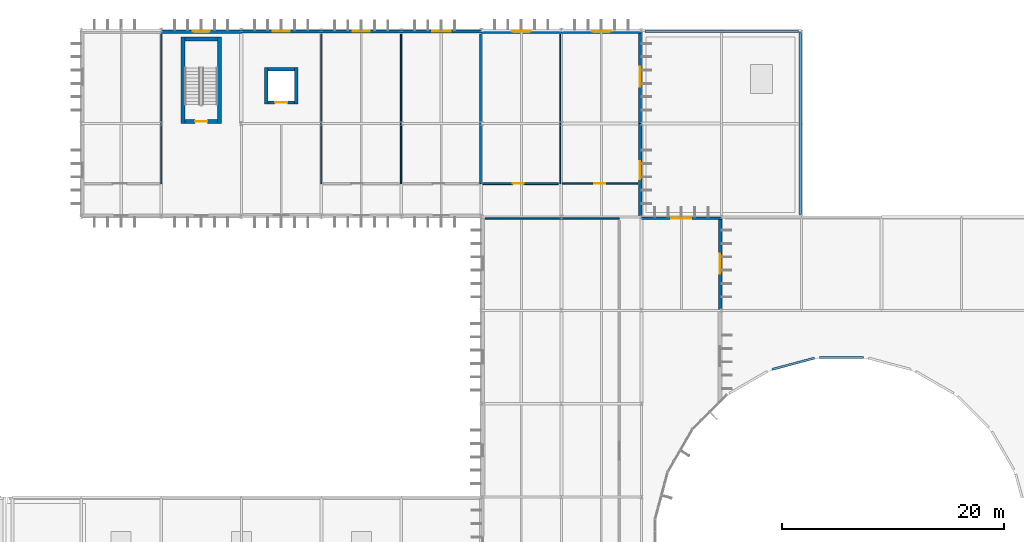
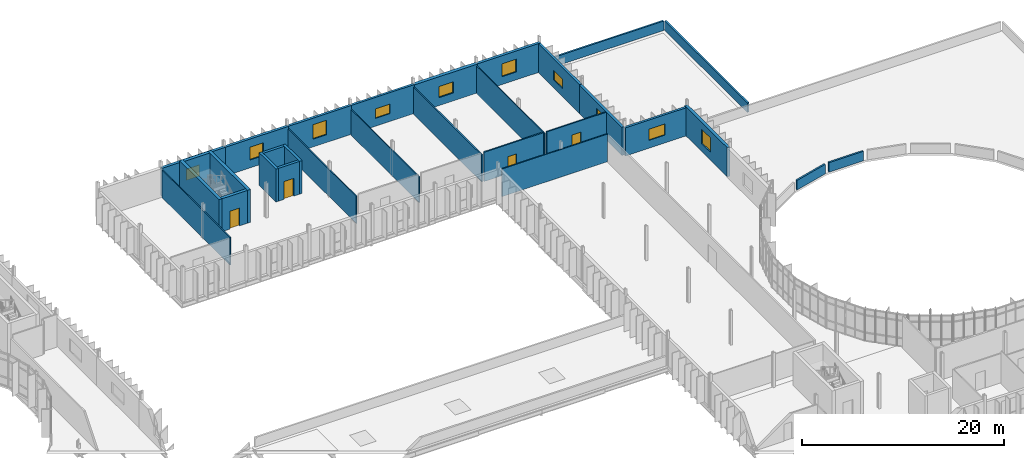
# One storey, part 48 of 61: 30 walls, 10 windows, 4 doors, 14 openings.
"""IFC4 building model written with IfcOpenShell, lengths in metres."""

from ifc_helpers import new_model, si_unit, direction, frame, frame_2d, origin, place, context, subcontext, project, spatial, rectangle, extrude, material, layer, layer_set, type_object, element, fill, save


model = new_model("IFC4")

# Units and contexts
model_context = context("Model", 3, precision=1e-05, world=origin(), true_north=direction((0.0, 1.0)))
body_context = subcontext(model_context, "Body", "Model", "MODEL_VIEW")
ifc_project = project(units=[si_unit("LENGTHUNIT", "METRE"), si_unit("AREAUNIT", "SQUARE_METRE"), si_unit("VOLUMEUNIT", "CUBIC_METRE"), si_unit("PLANEANGLEUNIT", "RADIAN"), si_unit("MASSUNIT", "GRAM", prefix="KILO")], contexts=[model_context])

# Site, building, storey
site_placement = place(None, origin())
site = spatial("IfcSite", under=ifc_project, at=site_placement, CompositionType="ELEMENT")
building_placement = place(site_placement, origin())
building = spatial("IfcBuilding", under=site, at=building_placement, Name="Qelthora Terrace Specialist Clinic", CompositionType="ELEMENT")
storey_placement = place(building_placement, frame((0.0, 0.0, 13.199951171875)))
storey = spatial("IfcBuildingStorey", under=building, at=storey_placement, Name="L03", CompositionType="ELEMENT", Elevation=13.199951171875)

# Walls
ifc_material_1 = material(Name="Concrete C40/50", Category="concrete")
ifc_layer_1 = layer(ifc_material_1, 0.300048828125)
ifc_layer_set_1 = layer_set([ifc_layer_1], Name="Concrete C40/50")
wall_type_1 = type_object("IfcWallType", Name="WAL-CORE-300-C40", PredefinedType="SHEAR", material=ifc_layer_set_1)
for number, where, z_axis, x_axis, name in (
    (1, (74.25, 102.550048828125, 0.0), (0.0, 0.0, 1.0), (0.0, 1.0, 0.0), "Lift PL-04 L03 west shaft wall"),
    (2, (76.949951171875, 102.550048828125, 0.0), (0.0, 0.0, 1.0), (0.0, 1.0, 0.0), "Lift PL-04 L03 east shaft wall"),
):
    element("IfcWall", number, at=place(storey_placement, frame(where, z_axis=z_axis, x_axis=x_axis)), inside=storey, type_object=wall_type_1, Name=name, PredefinedType="SHEAR", context=body_context, shape_type="SweptSolid", body=[
        extrude(rectangle(XDim=3.300048828125, YDim=0.300048828125, at=frame_2d((1.64990234375, 0.0))), origin(), (0.0, 0.0, 1.0), 3.969970703125),
    ])
wall_1_placement = place(storey_placement, frame((74.39990234375, 105.699951171875, 0.0), z_axis=(0.0, 0.0, 1.0), x_axis=(1.0, 0.0, 0.0)))
element("IfcWall", 3, at=wall_1_placement, inside=storey, type_object=wall_type_1, Name="Lift PL-04 L03 north shaft wall", PredefinedType="SHEAR", context=body_context, shape_type="SweptSolid", body=[
    extrude(rectangle(XDim=2.400146484375, YDim=0.300048828125, at=frame_2d((1.2001953125, 0.0))), origin(), (0.0, 0.0, 1.0), 3.969970703125),
])

# Wall, opening, door
wall_2_placement = place(storey_placement, frame((74.39990234375, 102.699951171875, 0.0), z_axis=(0.0, 0.0, 1.0), x_axis=(1.0, 0.0, 0.0)))
wall_2 = element("IfcWall", 4, at=wall_2_placement, inside=storey, type_object=wall_type_1, Name="Lift PL-04 L03 south shaft wall", PredefinedType="SHEAR", context=body_context, shape_type="SweptSolid", body=[
    extrude(rectangle(XDim=2.400146484375, YDim=0.300048828125, at=frame_2d((1.2001953125, 0.0))), origin(), (0.0, 0.0, 1.0), 3.969970703125),
])
opening_1_placement = place(wall_2_placement, frame((0.64990234375, 0.0, 0.0)))
opening_1 = element("IfcOpeningElement", 5, at=opening_1_placement, cuts=wall_2, Name="Opening LD-PL-04-L03", PredefinedType="OPENING", context=body_context, shape_type="SweptSolid", body=[
    extrude(rectangle(XDim=1.10009765625, YDim=2.14990234375, at=frame_2d((0.550048828125, 1.074951171875))), frame((0.0, 0.159912109375, 0.0), z_axis=(0.0, -1.0, 0.0), x_axis=(1.0, 0.0, 0.0)), (0.0, 0.0, 1.0), 0.320068359375),
])
ifc_material_2 = material(Name="Steel S355", Category="steel")
door_type_1 = type_object("IfcDoorType", Name="DOR-LIFT-1100X2150", OperationType="NOTDEFINED", PredefinedType="DOOR", material=ifc_material_2)
door_1_placement = place(opening_1_placement, origin())
door_1 = element("IfcDoor", 6, at=door_1_placement, inside=storey, type_object=door_type_1, Name="Lift landing sliding door LD-PL-04-L03", OperationType="DOUBLE_DOOR_SLIDING", OverallHeight=2.14990234375, OverallWidth=1.10009765625, PredefinedType="DOOR", context=body_context, shape_type="SweptSolid", body=[
    extrude(rectangle(XDim=1.10009765625, YDim=2.14990234375, at=frame_2d((0.550048828125, 1.074951171875))), frame((0.0, 0.02490234375, 0.0), z_axis=(0.0, -1.0, 0.0), x_axis=(1.0, 0.0, 0.0)), (0.0, 0.0, 1.0), 0.050048828125),
])
fill(opening_1, door_1)

# Walls
ifc_layer_2 = layer(ifc_material_1, 0.35009765625)
ifc_layer_set_2 = layer_set([ifc_layer_2], Name="Concrete C40/50")
wall_type_2 = type_object("IfcWallType", Name="WAL-CORE-350-C40", PredefinedType="SHEAR", material=ifc_layer_set_2)
for number, where, z_axis, x_axis, name in (
    (7, (66.77490234375, 100.800048828125, 0.0), (0.0, 0.0, 1.0), (0.0, 1.0, 0.0), "ST-07 L03 west shear core wall"),
    (8, (70.02490234375, 100.800048828125, 0.0), (0.0, 0.0, 1.0), (0.0, 1.0, 0.0), "ST-07 L03 east shear core wall"),
):
    element("IfcWall", number, at=place(storey_placement, frame(where, z_axis=z_axis, x_axis=x_axis)), inside=storey, type_object=wall_type_2, Name=name, PredefinedType="SHEAR", context=body_context, shape_type="SweptSolid", body=[
        extrude(rectangle(XDim=7.800048828125, YDim=0.35009765625, at=frame_2d((3.89990234375, 0.0))), origin(), (0.0, 0.0, 1.0), 3.969970703125),
    ])
wall_3_placement = place(storey_placement, frame((66.949951171875, 108.425048828125, 0.0), z_axis=(0.0, 0.0, 1.0), x_axis=(1.0, 0.0, 0.0)))
element("IfcWall", 9, at=wall_3_placement, inside=storey, type_object=wall_type_2, Name="ST-07 L03 north shear core wall", PredefinedType="SHEAR", context=body_context, shape_type="SweptSolid", body=[
    extrude(rectangle(XDim=2.900146484375, YDim=0.35009765625, at=frame_2d((1.4501953125, 0.0))), origin(), (0.0, 0.0, 1.0), 3.969970703125),
])

# Wall, opening, door
wall_4_placement = place(storey_placement, frame((66.949951171875, 100.97509765625, 0.0), z_axis=(0.0, 0.0, 1.0), x_axis=(1.0, 0.0, 0.0)))
wall_4 = element("IfcWall", 10, at=wall_4_placement, inside=storey, type_object=wall_type_2, Name="ST-07 L03 south shear core wall", PredefinedType="SHEAR", context=body_context, shape_type="SweptSolid", body=[
    extrude(rectangle(XDim=2.900146484375, YDim=0.35009765625, at=frame_2d((1.4501953125, 0.0))), origin(), (0.0, 0.0, 1.0), 3.969970703125),
])
opening_2_placement = place(wall_4_placement, frame((0.89990234375, 0.0, 0.0)))
opening_2 = element("IfcOpeningElement", 11, at=opening_2_placement, cuts=wall_4, Name="Opening D-ST-07-L03", PredefinedType="OPENING", context=body_context, shape_type="SweptSolid", body=[
    extrude(rectangle(XDim=1.10009765625, YDim=2.14990234375, at=frame_2d((0.550048828125, 1.074951171875))), frame((0.0, 0.18505859375, 0.0), z_axis=(0.0, -1.0, 0.0), x_axis=(1.0, 0.0, 0.0)), (0.0, 0.0, 1.0), 0.3701171875),
])
door_type_2 = type_object("IfcDoorType", Name="DOR-STAIR-1100X2150", OperationType="NOTDEFINED", PredefinedType="DOOR", material=ifc_material_2)
door_2_placement = place(opening_2_placement, origin())
door_2 = element("IfcDoor", 12, at=door_2_placement, inside=storey, type_object=door_type_2, Name="Stair fire door D-ST-07-L03", OperationType="SINGLE_SWING_RIGHT", OverallHeight=2.14990234375, OverallWidth=1.10009765625, PredefinedType="DOOR", context=body_context, shape_type="SweptSolid", body=[
    extrude(rectangle(XDim=1.10009765625, YDim=2.14990234375, at=frame_2d((0.550048828125, 1.074951171875))), frame((0.0, 0.02490234375, 0.0), z_axis=(0.0, -1.0, 0.0), x_axis=(1.0, 0.0, 0.0)), (0.0, 0.0, 1.0), 0.050048828125),
])
fill(opening_2, door_2)

# Wall, opening, window
ifc_material_3 = material(Name="Precast concrete C40/50", Category="concrete")
ifc_layer_3 = layer(ifc_material_3, 0.260009765625)
ifc_layer_set_3 = layer_set([ifc_layer_3], Name="Precast concrete C40/50")
wall_type_3 = type_object("IfcWallType", Name="WAL-EXT-260-PC40", PredefinedType="SOLIDWALL", material=ifc_layer_set_3)
wall_5_placement = place(storey_placement, frame((86.39990234375, 109.080078125, 0.0), z_axis=(0.0, 0.0, 1.0), x_axis=(1.0, 0.0, 0.0)))
wall_5 = element("IfcWall", 13, at=wall_5_placement, inside=storey, type_object=wall_type_3, Name="L03 external precast wall 314", PredefinedType="SOLIDWALL", context=body_context, shape_type="SweptSolid", body=[
    extrude(rectangle(XDim=7.2001953125, YDim=0.260009765625, at=frame_2d((3.60009765625, 0.0))), origin(), (0.0, 0.0, 1.0), 3.48193359375),
])
opening_3_placement = place(wall_5_placement, frame((2.77490234375, 0.0, 0.949951171875)))
opening_3 = element("IfcOpeningElement", 14, at=opening_3_placement, cuts=wall_5, Name="Opening WN-L03-273", PredefinedType="OPENING", context=body_context, shape_type="SweptSolid", body=[
    extrude(rectangle(XDim=1.64990234375, YDim=1.14990234375, at=frame_2d((0.824951171875, 0.574951171875))), frame((0.0, 0.139892578125, 0.0), z_axis=(0.0, -1.0, 0.0), x_axis=(1.0, 0.0, 0.0)), (0.0, 0.0, 1.0), 0.280029296875),
])
ifc_material_4 = material(Name="Low-E triple-silver insulating glass", Category="glass")
window_type_1 = type_object("IfcWindowType", Name="WIN-1650X1150", PartitioningType="DOUBLE_PANEL_VERTICAL", PredefinedType="WINDOW", material=ifc_material_4)
window_1_placement = place(opening_3_placement, origin())
window_1 = element("IfcWindow", 15, at=window_1_placement, inside=storey, type_object=window_type_1, Name="Clinical window WN-L03-273", OverallHeight=1.14990234375, OverallWidth=1.64990234375, PartitioningType="SINGLE_PANEL", PredefinedType="WINDOW", context=body_context, shape_type="SweptSolid", body=[
    extrude(rectangle(XDim=1.64990234375, YDim=1.14990234375, at=frame_2d((0.824951171875, 0.574951171875))), frame((0.0, 0.030029296875, 0.0), z_axis=(0.0, -1.0, 0.0), x_axis=(1.0, 0.0, 0.0)), (0.0, 0.0, 1.0), 0.06005859375),
])
fill(opening_3, window_1)

wall_6_placement = place(storey_placement, frame((108.0, 92.280029296875, 0.0), z_axis=(0.0, 0.0, 1.0), x_axis=(1.0, 0.0, 0.0)))
wall_6 = element("IfcWall", 16, at=wall_6_placement, inside=storey, type_object=wall_type_3, Name="L03 external precast wall 319", PredefinedType="SOLIDWALL", context=body_context, shape_type="SweptSolid", body=[
    extrude(rectangle(XDim=7.199951171875, YDim=0.260009765625, at=frame_2d((3.60009765625, 0.0))), origin(), (0.0, 0.0, 1.0), 3.39794921875),
])
opening_4_placement = place(wall_6_placement, frame((2.699951171875, 0.0, 0.949951171875)))
opening_4 = element("IfcOpeningElement", 17, at=opening_4_placement, cuts=wall_6, Name="Opening WN-L03-278", PredefinedType="OPENING", context=body_context, shape_type="SweptSolid", body=[
    extrude(rectangle(XDim=1.800048828125, YDim=1.35009765625, at=frame_2d((0.89990234375, 0.675048828125))), frame((0.0, 0.139892578125, 0.0), z_axis=(0.0, -1.0, 0.0), x_axis=(1.0, 0.0, 0.0)), (0.0, 0.0, 1.0), 0.280029296875),
])
window_type_2 = type_object("IfcWindowType", Name="WIN-1800X1350", PartitioningType="DOUBLE_PANEL_VERTICAL", PredefinedType="WINDOW", material=ifc_material_4)
window_2_placement = place(opening_4_placement, origin())
window_2 = element("IfcWindow", 18, at=window_2_placement, inside=storey, type_object=window_type_2, Name="Clinical window WN-L03-278", OverallHeight=1.35009765625, OverallWidth=1.800048828125, PartitioningType="SINGLE_PANEL", PredefinedType="WINDOW", context=body_context, shape_type="SweptSolid", body=[
    extrude(rectangle(XDim=1.800048828125, YDim=1.35009765625, at=frame_2d((0.89990234375, 0.675048828125))), frame((0.0, 0.030029296875, 0.0), z_axis=(0.0, -1.0, 0.0), x_axis=(1.0, 0.0, 0.0)), (0.0, 0.0, 1.0), 0.06005859375),
])
fill(opening_4, window_2)

ifc_layer_4 = layer(ifc_material_3, 0.280029296875)
ifc_layer_set_4 = layer_set([ifc_layer_4], Name="Precast concrete C40/50")
wall_type_4 = type_object("IfcWallType", Name="WAL-EXT-280-PC40", PredefinedType="SOLIDWALL", material=ifc_layer_set_4)
wall_7_placement = place(storey_placement, frame((79.199951171875, 109.080078125, 0.0), z_axis=(0.0, 0.0, 1.0), x_axis=(1.0, 0.0, 0.0)))
wall_7 = element("IfcWall", 19, at=wall_7_placement, inside=storey, type_object=wall_type_4, Name="L03 external precast wall 313", PredefinedType="SOLIDWALL", context=body_context, shape_type="SweptSolid", body=[
    extrude(rectangle(XDim=7.199951171875, YDim=0.280029296875, at=frame_2d((3.60009765625, 0.0))), origin(), (0.0, 0.0, 1.0), 3.48193359375),
])
opening_5_placement = place(wall_7_placement, frame((2.85009765625, 0.0, 0.949951171875)))
opening_5 = element("IfcOpeningElement", 20, at=opening_5_placement, cuts=wall_7, Name="Opening WN-L03-272", PredefinedType="OPENING", context=body_context, shape_type="SweptSolid", body=[
    extrude(rectangle(XDim=1.5, YDim=1.75, at=frame_2d((0.75, 0.875))), frame((0.0, 0.14990234375, 0.0), z_axis=(0.0, -1.0, 0.0), x_axis=(1.0, 0.0, 0.0)), (0.0, 0.0, 1.0), 0.300048828125),
])
window_type_3 = type_object("IfcWindowType", Name="WIN-1500X1750", PartitioningType="SINGLE_PANEL", PredefinedType="WINDOW", material=ifc_material_4)
window_3_placement = place(opening_5_placement, origin())
window_3 = element("IfcWindow", 21, at=window_3_placement, inside=storey, type_object=window_type_3, Name="Clinical window WN-L03-272", OverallHeight=1.75, OverallWidth=1.5, PartitioningType="SINGLE_PANEL", PredefinedType="WINDOW", context=body_context, shape_type="SweptSolid", body=[
    extrude(rectangle(XDim=1.5, YDim=1.75, at=frame_2d((0.75, 0.875))), frame((0.0, 0.030029296875, 0.0), z_axis=(0.0, -1.0, 0.0), x_axis=(1.0, 0.0, 0.0)), (0.0, 0.0, 1.0), 0.06005859375),
])
fill(opening_5, window_3)

wall_8_placement = place(storey_placement, frame((107.8798828125, 100.800048828125, 0.0), z_axis=(0.0, 0.0, 1.0), x_axis=(0.0, 1.0, 0.0)))
wall_8 = element("IfcWall", 22, at=wall_8_placement, inside=storey, type_object=wall_type_4, Name="L03 external precast wall 318", PredefinedType="SOLIDWALL", context=body_context, shape_type="SweptSolid", body=[
    extrude(rectangle(XDim=8.39990234375, YDim=0.280029296875, at=frame_2d((4.199951171875, 0.0))), origin(), (0.0, 0.0, 1.0), 3.47607421875),
])
opening_6_placement = place(wall_8_placement, frame((3.300048828125, 0.0, 0.949951171875)))
opening_6 = element("IfcOpeningElement", 23, at=opening_6_placement, cuts=wall_8, Name="Opening WN-L03-277", PredefinedType="OPENING", context=body_context, shape_type="SweptSolid", body=[
    extrude(rectangle(XDim=1.800048828125, YDim=1.14990234375, at=frame_2d((0.89990234375, 0.574951171875))), frame((0.0, 0.14990234375, 0.0), z_axis=(0.0, -1.0, 0.0), x_axis=(1.0, 0.0, 0.0)), (0.0, 0.0, 1.0), 0.300048828125),
])
window_type_4 = type_object("IfcWindowType", Name="WIN-1800X1150", PartitioningType="DOUBLE_PANEL_VERTICAL", PredefinedType="WINDOW", material=ifc_material_4)
window_4_placement = place(opening_6_placement, origin())
window_4 = element("IfcWindow", 24, at=window_4_placement, inside=storey, type_object=window_type_4, Name="Clinical window WN-L03-277", OverallHeight=1.14990234375, OverallWidth=1.800048828125, PartitioningType="SINGLE_PANEL", PredefinedType="WINDOW", context=body_context, shape_type="SweptSolid", body=[
    extrude(rectangle(XDim=1.800048828125, YDim=1.14990234375, at=frame_2d((0.89990234375, 0.574951171875))), frame((0.0, 0.030029296875, 0.0), z_axis=(0.0, -1.0, 0.0), x_axis=(1.0, 0.0, 0.0)), (0.0, 0.0, 1.0), 0.06005859375),
])
fill(opening_6, window_4)

ifc_layer_5 = layer(ifc_material_3, 0.300048828125)
ifc_layer_set_5 = layer_set([ifc_layer_5], Name="Precast concrete C40/50")
wall_type_5 = type_object("IfcWallType", Name="WAL-EXT-300-PC40", PredefinedType="SOLIDWALL", material=ifc_layer_set_5)
wall_9_placement = place(storey_placement, frame((72.0, 109.080078125, 0.0), z_axis=(0.0, 0.0, 1.0), x_axis=(1.0, 0.0, 0.0)))
wall_9 = element("IfcWall", 25, at=wall_9_placement, inside=storey, type_object=wall_type_5, Name="L03 external precast wall 312", PredefinedType="SOLIDWALL", context=body_context, shape_type="SweptSolid", body=[
    extrude(rectangle(XDim=7.199951171875, YDim=0.300048828125, at=frame_2d((3.60009765625, 0.0))), origin(), (0.0, 0.0, 1.0), 3.48193359375),
])
opening_7_placement = place(wall_9_placement, frame((2.85009765625, 0.0, 0.949951171875)))
opening_7 = element("IfcOpeningElement", 26, at=opening_7_placement, cuts=wall_9, Name="Opening WN-L03-271", PredefinedType="OPENING", context=body_context, shape_type="SweptSolid", body=[
    extrude(rectangle(XDim=1.5, YDim=1.550048828125, at=frame_2d((0.75, 0.77490234375))), frame((0.0, 0.159912109375, 0.0), z_axis=(0.0, -1.0, 0.0), x_axis=(1.0, 0.0, 0.0)), (0.0, 0.0, 1.0), 0.320068359375),
])
window_type_5 = type_object("IfcWindowType", Name="WIN-1500X1550", PartitioningType="SINGLE_PANEL", PredefinedType="WINDOW", material=ifc_material_4)
window_5_placement = place(opening_7_placement, origin())
window_5 = element("IfcWindow", 27, at=window_5_placement, inside=storey, type_object=window_type_5, Name="Clinical window WN-L03-271", OverallHeight=1.550048828125, OverallWidth=1.5, PartitioningType="SINGLE_PANEL", PredefinedType="WINDOW", context=body_context, shape_type="SweptSolid", body=[
    extrude(rectangle(XDim=1.5, YDim=1.550048828125, at=frame_2d((0.75, 0.77490234375))), frame((0.0, 0.030029296875, 0.0), z_axis=(0.0, -1.0, 0.0), x_axis=(1.0, 0.0, 0.0)), (0.0, 0.0, 1.0), 0.06005859375),
])
fill(opening_7, window_5)

wall_10_placement = place(storey_placement, frame((107.8798828125, 92.39990234375, 0.0), z_axis=(0.0, 0.0, 1.0), x_axis=(0.0, 1.0, 0.0)))
wall_10 = element("IfcWall", 28, at=wall_10_placement, inside=storey, type_object=wall_type_5, Name="L03 external precast wall 317", PredefinedType="SOLIDWALL", context=body_context, shape_type="SweptSolid", body=[
    extrude(rectangle(XDim=8.400146484375, YDim=0.300048828125, at=frame_2d((4.2001953125, 0.0))), origin(), (0.0, 0.0, 1.0), 3.405029296875),
])
opening_8_placement = place(wall_10_placement, frame((3.375, 0.0, 0.949951171875)))
opening_8 = element("IfcOpeningElement", 29, at=opening_8_placement, cuts=wall_10, Name="Opening WN-L03-276", PredefinedType="OPENING", context=body_context, shape_type="SweptSolid", body=[
    extrude(rectangle(XDim=1.64990234375, YDim=1.75, at=frame_2d((0.824951171875, 0.875))), frame((0.0, 0.159912109375, 0.0), z_axis=(0.0, -1.0, 0.0), x_axis=(1.0, 0.0, 0.0)), (0.0, 0.0, 1.0), 0.320068359375),
])
window_type_6 = type_object("IfcWindowType", Name="WIN-1650X1750", PartitioningType="DOUBLE_PANEL_VERTICAL", PredefinedType="WINDOW", material=ifc_material_4)
window_6_placement = place(opening_8_placement, origin())
window_6 = element("IfcWindow", 30, at=window_6_placement, inside=storey, type_object=window_type_6, Name="Clinical window WN-L03-276", OverallHeight=1.75, OverallWidth=1.64990234375, PartitioningType="SINGLE_PANEL", PredefinedType="WINDOW", context=body_context, shape_type="SweptSolid", body=[
    extrude(rectangle(XDim=1.64990234375, YDim=1.75, at=frame_2d((0.824951171875, 0.875))), frame((0.0, 0.030029296875, 0.0), z_axis=(0.0, -1.0, 0.0), x_axis=(1.0, 0.0, 0.0)), (0.0, 0.0, 1.0), 0.06005859375),
])
fill(opening_8, window_6)

ifc_layer_6 = layer(ifc_material_3, 0.320068359375)
ifc_layer_set_6 = layer_set([ifc_layer_6], Name="Precast concrete C40/50")
wall_type_6 = type_object("IfcWallType", Name="WAL-EXT-320-PC40", PredefinedType="SOLIDWALL", material=ifc_layer_set_6)
wall_11_placement = place(storey_placement, frame((64.800048828125, 109.080078125, 0.0), z_axis=(0.0, 0.0, 1.0), x_axis=(1.0, 0.0, 0.0)))
wall_11 = element("IfcWall", 31, at=wall_11_placement, inside=storey, type_object=wall_type_6, Name="L03 external precast wall 311", PredefinedType="SOLIDWALL", context=body_context, shape_type="SweptSolid", body=[
    extrude(rectangle(XDim=7.199951171875, YDim=0.320068359375, at=frame_2d((3.60009765625, 0.0))), origin(), (0.0, 0.0, 1.0), 3.48193359375),
])
opening_9_placement = place(wall_11_placement, frame((2.85009765625, 0.0, 0.949951171875)))
opening_9 = element("IfcOpeningElement", 32, at=opening_9_placement, cuts=wall_11, Name="Opening WN-L03-270", PredefinedType="OPENING", context=body_context, shape_type="SweptSolid", body=[
    extrude(rectangle(XDim=1.5, YDim=1.35009765625, at=frame_2d((0.75, 0.675048828125))), frame((0.0, 0.169921875, 0.0), z_axis=(0.0, -1.0, 0.0), x_axis=(1.0, 0.0, 0.0)), (0.0, 0.0, 1.0), 0.340087890625),
])
window_type_7 = type_object("IfcWindowType", Name="WIN-1500X1350", PartitioningType="SINGLE_PANEL", PredefinedType="WINDOW", material=ifc_material_4)
window_7_placement = place(opening_9_placement, origin())
window_7 = element("IfcWindow", 33, at=window_7_placement, inside=storey, type_object=window_type_7, Name="Clinical window WN-L03-270", OverallHeight=1.35009765625, OverallWidth=1.5, PartitioningType="SINGLE_PANEL", PredefinedType="WINDOW", context=body_context, shape_type="SweptSolid", body=[
    extrude(rectangle(XDim=1.5, YDim=1.35009765625, at=frame_2d((0.75, 0.675048828125))), frame((0.0, 0.030029296875, 0.0), z_axis=(0.0, -1.0, 0.0), x_axis=(1.0, 0.0, 0.0)), (0.0, 0.0, 1.0), 0.06005859375),
])
fill(opening_9, window_7)

wall_12_placement = place(storey_placement, frame((100.800048828125, 109.080078125, 0.0), z_axis=(0.0, 0.0, 1.0), x_axis=(1.0, 0.0, 0.0)))
wall_12 = element("IfcWall", 34, at=wall_12_placement, inside=storey, type_object=wall_type_6, Name="L03 external precast wall 316", PredefinedType="SOLIDWALL", context=body_context, shape_type="SweptSolid", body=[
    extrude(rectangle(XDim=7.199951171875, YDim=0.320068359375, at=frame_2d((3.60009765625, 0.0))), origin(), (0.0, 0.0, 1.0), 3.48193359375),
])
opening_10_placement = place(wall_12_placement, frame((2.77490234375, 0.0, 0.949951171875)))
opening_10 = element("IfcOpeningElement", 35, at=opening_10_placement, cuts=wall_12, Name="Opening WN-L03-275", PredefinedType="OPENING", context=body_context, shape_type="SweptSolid", body=[
    extrude(rectangle(XDim=1.64990234375, YDim=1.550048828125, at=frame_2d((0.824951171875, 0.77490234375))), frame((0.0, 0.169921875, 0.0), z_axis=(0.0, -1.0, 0.0), x_axis=(1.0, 0.0, 0.0)), (0.0, 0.0, 1.0), 0.340087890625),
])
window_type_8 = type_object("IfcWindowType", Name="WIN-1650X1550", PartitioningType="DOUBLE_PANEL_VERTICAL", PredefinedType="WINDOW", material=ifc_material_4)
window_8_placement = place(opening_10_placement, origin())
window_8 = element("IfcWindow", 36, at=window_8_placement, inside=storey, type_object=window_type_8, Name="Clinical window WN-L03-275", OverallHeight=1.550048828125, OverallWidth=1.64990234375, PartitioningType="SINGLE_PANEL", PredefinedType="WINDOW", context=body_context, shape_type="SweptSolid", body=[
    extrude(rectangle(XDim=1.64990234375, YDim=1.550048828125, at=frame_2d((0.824951171875, 0.77490234375))), frame((0.0, 0.030029296875, 0.0), z_axis=(0.0, -1.0, 0.0), x_axis=(1.0, 0.0, 0.0)), (0.0, 0.0, 1.0), 0.06005859375),
])
fill(opening_10, window_8)

wall_13_placement = place(storey_placement, frame((115.080078125, 84.0, 0.0), z_axis=(0.0, 0.0, 1.0), x_axis=(0.0, 1.0, 0.0)))
wall_13 = element("IfcWall", 37, at=wall_13_placement, inside=storey, type_object=wall_type_6, Name="L03 external precast wall 321", PredefinedType="SOLIDWALL", context=body_context, shape_type="SweptSolid", body=[
    extrude(rectangle(XDim=8.39990234375, YDim=0.320068359375, at=frame_2d((4.199951171875, 0.0))), origin(), (0.0, 0.0, 1.0), 3.531982421875),
])
opening_11_placement = place(wall_13_placement, frame((3.300048828125, 0.0, 0.949951171875)))
opening_11 = element("IfcOpeningElement", 38, at=opening_11_placement, cuts=wall_13, Name="Opening WN-L03-280", PredefinedType="OPENING", context=body_context, shape_type="SweptSolid", body=[
    extrude(rectangle(XDim=1.800048828125, YDim=1.75, at=frame_2d((0.89990234375, 0.875))), frame((0.0, 0.169921875, 0.0), z_axis=(0.0, -1.0, 0.0), x_axis=(1.0, 0.0, 0.0)), (0.0, 0.0, 1.0), 0.340087890625),
])
window_type_9 = type_object("IfcWindowType", Name="WIN-1800X1750", PartitioningType="DOUBLE_PANEL_VERTICAL", PredefinedType="WINDOW", material=ifc_material_4)
window_9_placement = place(opening_11_placement, origin())
window_9 = element("IfcWindow", 39, at=window_9_placement, inside=storey, type_object=window_type_9, Name="Clinical window WN-L03-280", OverallHeight=1.75, OverallWidth=1.800048828125, PartitioningType="SINGLE_PANEL", PredefinedType="WINDOW", context=body_context, shape_type="SweptSolid", body=[
    extrude(rectangle(XDim=1.800048828125, YDim=1.75, at=frame_2d((0.89990234375, 0.875))), frame((0.0, 0.030029296875, 0.0), z_axis=(0.0, -1.0, 0.0), x_axis=(1.0, 0.0, 0.0)), (0.0, 0.0, 1.0), 0.06005859375),
])
fill(opening_11, window_9)

ifc_layer_7 = layer(ifc_material_3, 0.3798828125)
ifc_layer_set_7 = layer_set([ifc_layer_7], Name="Precast concrete C40/50")
wall_type_7 = type_object("IfcWallType", Name="WAL-EXT-380-PC40", PredefinedType="SOLIDWALL", material=ifc_layer_set_7)
wall_14_placement = place(storey_placement, frame((93.60009765625, 109.080078125, 0.0), z_axis=(0.0, 0.0, 1.0), x_axis=(1.0, 0.0, 0.0)))
wall_14 = element("IfcWall", 40, at=wall_14_placement, inside=storey, type_object=wall_type_7, Name="L03 external precast wall 315", PredefinedType="SOLIDWALL", context=body_context, shape_type="SweptSolid", body=[
    extrude(rectangle(XDim=7.199951171875, YDim=0.3798828125, at=frame_2d((3.60009765625, 0.0))), origin(), (0.0, 0.0, 1.0), 3.48193359375),
])
opening_12_placement = place(wall_14_placement, frame((2.77490234375, 0.0, 0.949951171875)))
opening_12 = element("IfcOpeningElement", 41, at=opening_12_placement, cuts=wall_14, Name="Opening WN-L03-274", PredefinedType="OPENING", context=body_context, shape_type="SweptSolid", body=[
    extrude(rectangle(XDim=1.64990234375, YDim=1.35009765625, at=frame_2d((0.824951171875, 0.675048828125))), frame((0.0, 0.199951171875, 0.0), z_axis=(0.0, -1.0, 0.0), x_axis=(1.0, 0.0, 0.0)), (0.0, 0.0, 1.0), 0.39990234375),
])
window_type_10 = type_object("IfcWindowType", Name="WIN-1650X1350", PartitioningType="DOUBLE_PANEL_VERTICAL", PredefinedType="WINDOW", material=ifc_material_4)
window_10_placement = place(opening_12_placement, origin())
window_10 = element("IfcWindow", 42, at=window_10_placement, inside=storey, type_object=window_type_10, Name="Clinical window WN-L03-274", OverallHeight=1.35009765625, OverallWidth=1.64990234375, PartitioningType="SINGLE_PANEL", PredefinedType="WINDOW", context=body_context, shape_type="SweptSolid", body=[
    extrude(rectangle(XDim=1.64990234375, YDim=1.35009765625, at=frame_2d((0.824951171875, 0.675048828125))), frame((0.0, 0.030029296875, 0.0), z_axis=(0.0, -1.0, 0.0), x_axis=(1.0, 0.0, 0.0)), (0.0, 0.0, 1.0), 0.06005859375),
])
fill(opening_12, window_10)

# Wall, opening, door
ifc_material_5 = material(Name="Gypsum fire-rated wallboard", Category="gypsum")
ifc_layer_8 = layer(ifc_material_5, 0.159912109375)
ifc_layer_set_8 = layer_set([ifc_layer_8], Name="Gypsum fire-rated wallboard")
wall_type_8 = type_object("IfcWallType", Name="WAL-INT-COR-160", PredefinedType="PARTITIONING", material=ifc_layer_set_8)
wall_15_placement = place(storey_placement, frame((100.507568359375, 95.39990234375, 0.0), z_axis=(0.0, 0.0, 1.0), x_axis=(-1.0, 0.0, 0.0)))
wall_15 = element("IfcWall", 43, at=wall_15_placement, inside=storey, type_object=wall_type_8, Name="Interior clinical partition IWAL-L03-0355", PredefinedType="PARTITIONING", context=body_context, shape_type="SweptSolid", body=[
    extrude(rectangle(XDim=6.802490234375, YDim=0.159912109375, at=frame_2d((3.4013671875, 0.0))), origin(), (0.0, 0.0, 1.0), 3.531982421875),
])
opening_13_placement = place(wall_15_placement, frame((3.111328125, 0.0, 0.0)))
opening_13 = element("IfcOpeningElement", 44, at=opening_13_placement, cuts=wall_15, Name="Opening DI-L03-0141", PredefinedType="OPENING", context=body_context, shape_type="SweptSolid", body=[
    extrude(rectangle(XDim=0.97998046875, YDim=2.050048828125, at=frame_2d((0.489990234375, 1.02490234375))), frame((0.0, 0.08984375, 0.0), z_axis=(0.0, -1.0, 0.0), x_axis=(1.0, 0.0, 0.0)), (0.0, 0.0, 1.0), 0.179931640625),
])
ifc_material_6 = material(Name="Glulam timber GL28h", Category="wood")
door_type_3 = type_object("IfcDoorType", Name="DOR-CON-980X2050", OperationType="NOTDEFINED", PredefinedType="DOOR", material=ifc_material_6)
door_3_placement = place(opening_13_placement, frame((0.97998046875, 0.0, 0.0), z_axis=(0.0, 0.0, 1.0), x_axis=(-1.0, 0.0, 0.0)))
door_3 = element("IfcDoor", 45, at=door_3_placement, inside=storey, type_object=door_type_3, Name="Interior clinical door DI-L03-0141", OperationType="SINGLE_SWING_RIGHT", OverallHeight=2.050048828125, OverallWidth=0.97998046875, PredefinedType="DOOR", context=body_context, shape_type="SweptSolid", body=[
    extrude(rectangle(XDim=0.97998046875, YDim=2.050048828125, at=frame_2d((0.489990234375, 1.02490234375))), frame((0.0, 0.02490234375, 0.0), z_axis=(0.0, -1.0, 0.0), x_axis=(1.0, 0.0, 0.0)), (0.0, 0.0, 1.0), 0.050048828125),
])
fill(opening_13, door_3)

# Walls
ifc_layer_9 = layer(ifc_material_4, 0.110107421875)
ifc_layer_set_9 = layer_set([ifc_layer_9], Name="Low-E triple-silver insulating glass")
wall_type_9 = type_object("IfcWallType", Name="WAL-INT-GLA-110", PredefinedType="MOVABLE", material=ifc_layer_set_9)
wall_16_placement = place(storey_placement, frame((86.362548828125, 108.860107421875, 0.0), z_axis=(0.0, 0.0, 1.0), x_axis=(0.0, -1.0, 0.0)))
element("IfcWall", 46, at=wall_16_placement, inside=storey, type_object=wall_type_9, Name="Interior clinical partition IWAL-L03-0350", PredefinedType="MOVABLE", context=body_context, shape_type="SweptSolid", body=[
    extrude(rectangle(XDim=13.460205078125, YDim=0.110107421875, at=frame_2d((6.72998046875, 0.0))), origin(), (0.0, 0.0, 1.0), 3.093994140625),
])
ifc_material_7 = material(Name="Gypsum acoustic wallboard", Category="gypsum")
ifc_layer_10 = layer(ifc_material_7, 0.10009765625)
ifc_layer_set_10 = layer_set([ifc_layer_10], Name="Gypsum acoustic wallboard")
wall_type_10 = type_object("IfcWallType", Name="WAL-INT-LGT-100", PredefinedType="PARTITIONING", material=ifc_layer_set_10)
wall_17_placement = place(storey_placement, frame((100.6875, 108.860107421875, 0.0), z_axis=(0.0, 0.0, 1.0), x_axis=(0.0, -1.0, 0.0)))
element("IfcWall", 47, at=wall_17_placement, inside=storey, type_object=wall_type_10, Name="Interior clinical partition IWAL-L03-0354", PredefinedType="PARTITIONING", context=body_context, shape_type="SweptSolid", body=[
    extrude(rectangle(XDim=13.460205078125, YDim=0.10009765625, at=frame_2d((6.72998046875, 0.0))), origin(), (0.0, 0.0, 1.0), 3.328125),
])
ifc_layer_11 = layer(ifc_material_7, 0.1201171875)
ifc_layer_set_11 = layer_set([ifc_layer_11], Name="Gypsum acoustic wallboard")
wall_type_11 = type_object("IfcWallType", Name="WAL-INT-STD-120", PredefinedType="PARTITIONING", material=ifc_layer_set_11)
wall_18_placement = place(storey_placement, frame((93.93994140625, 92.25, 0.0), z_axis=(0.0, 0.0, 1.0), x_axis=(1.0, 0.0, 0.0)))
element("IfcWall", 48, at=wall_18_placement, inside=storey, type_object=wall_type_11, Name="Interior clinical partition IWAL-L03-0330", PredefinedType="PARTITIONING", context=body_context, shape_type="SweptSolid", body=[
    extrude(rectangle(XDim=12.06005859375, YDim=0.1201171875, at=frame_2d((6.030029296875, 0.0))), origin(), (0.0, 0.0, 1.0), 3.3330078125),
])
wall_19_placement = place(storey_placement, frame((79.199951171875, 95.39990234375, 0.0), z_axis=(0.0, 0.0, 1.0), x_axis=(0.0, 1.0, 0.0)))
element("IfcWall", 49, at=wall_19_placement, inside=storey, type_object=wall_type_11, Name="Interior clinical partition IWAL-L03-0349", PredefinedType="PARTITIONING", context=body_context, shape_type="SweptSolid", body=[
    extrude(rectangle(XDim=13.460205078125, YDim=0.1201171875, at=frame_2d((6.72998046875, 0.0))), origin(), (0.0, 0.0, 1.0), 3.251953125),
])
wall_20_placement = place(storey_placement, frame((64.800048828125, 108.860107421875, 0.0), z_axis=(0.0, 0.0, 1.0), x_axis=(0.0, -1.0, 0.0)))
element("IfcWall", 50, at=wall_20_placement, inside=storey, type_object=wall_type_11, Name="Interior clinical partition IWAL-L03-0357", PredefinedType="PARTITIONING", context=body_context, shape_type="SweptSolid", body=[
    extrude(rectangle(XDim=13.460205078125, YDim=0.1201171875, at=frame_2d((6.72998046875, 0.0))), origin(), (0.0, 0.0, 1.0), 3.328125),
])
ifc_material_8 = material(Name="Gypsum moisture-resistant", Category="gypsum")
ifc_layer_12 = layer(ifc_material_8, 0.14990234375)
ifc_layer_set_12 = layer_set([ifc_layer_12], Name="Gypsum moisture-resistant")
wall_type_12 = type_object("IfcWallType", Name="WAL-INT-WET-150", PredefinedType="PLUMBINGWALL", material=ifc_layer_set_12)
wall_21_placement = place(storey_placement, frame((93.52490234375, 108.860107421875, 0.0), z_axis=(0.0, 0.0, 1.0), x_axis=(0.0, -1.0, 0.0)))
element("IfcWall", 51, at=wall_21_placement, inside=storey, type_object=wall_type_12, Name="Interior clinical partition IWAL-L03-0352", PredefinedType="PLUMBINGWALL", context=body_context, shape_type="SweptSolid", body=[
    extrude(rectangle(XDim=13.460205078125, YDim=0.14990234375, at=frame_2d((6.72998046875, 0.0))), origin(), (0.0, 0.0, 1.0), 3.257080078125),
])

# Wall, opening, door
wall_22_placement = place(storey_placement, frame((107.659912109375, 95.39990234375, 0.0), z_axis=(0.0, 0.0, 1.0), x_axis=(-1.0, 0.0, 0.0)))
wall_22 = element("IfcWall", 52, at=wall_22_placement, inside=storey, type_object=wall_type_12, Name="Interior clinical partition IWAL-L03-0356", PredefinedType="PLUMBINGWALL", context=body_context, shape_type="SweptSolid", body=[
    extrude(rectangle(XDim=6.79248046875, YDim=0.14990234375, at=frame_2d((3.396240234375, 0.0))), origin(), (0.0, 0.0, 1.0), 3.485107421875),
])
opening_14_placement = place(wall_22_placement, frame((2.896240234375, 0.0, 0.0)))
opening_14 = element("IfcOpeningElement", 53, at=opening_14_placement, cuts=wall_22, Name="Opening DI-L03-0142", PredefinedType="OPENING", context=body_context, shape_type="SweptSolid", body=[
    extrude(rectangle(XDim=1.0, YDim=2.10009765625, at=frame_2d((0.5, 1.050048828125))), frame((0.0, 0.0849609375, 0.0), z_axis=(0.0, -1.0, 0.0), x_axis=(1.0, 0.0, 0.0)), (0.0, 0.0, 1.0), 0.169921875),
])
door_type_4 = type_object("IfcDoorType", Name="DOR-AWC-1000X2100", OperationType="NOTDEFINED", PredefinedType="DOOR", material=ifc_material_6)
door_4_placement = place(opening_14_placement, frame((1.0, 0.0, 0.0), z_axis=(0.0, 0.0, 1.0), x_axis=(-1.0, 0.0, 0.0)))
door_4 = element("IfcDoor", 54, at=door_4_placement, inside=storey, type_object=door_type_4, Name="Interior clinical door DI-L03-0142", OperationType="SINGLE_SWING_LEFT", OverallHeight=2.10009765625, OverallWidth=1.0, PredefinedType="DOOR", context=body_context, shape_type="SweptSolid", body=[
    extrude(rectangle(XDim=1.0, YDim=2.10009765625, at=frame_2d((0.5, 1.050048828125))), frame((0.0, 0.02490234375, 0.0), z_axis=(0.0, -1.0, 0.0), x_axis=(1.0, 0.0, 0.0)), (0.0, 0.0, 1.0), 0.050048828125),
])
fill(opening_14, door_4)

# Walls
ifc_layer_13 = layer(ifc_material_3, 0.18994140625)
ifc_layer_set_13 = layer_set([ifc_layer_13], Name="Precast concrete C40/50")
wall_type_13 = type_object("IfcWallType", Name="WAL-PAR-190-PC40", PredefinedType="PARAPET", material=ifc_layer_set_13)
wall_23_placement = place(storey_placement, frame((122.2900390625, 108.97998046875, 0.0), z_axis=(0.0, 0.0, 1.0), x_axis=(0.0, -1.0, 0.0)))
element("IfcWall", 55, at=wall_23_placement, inside=storey, type_object=wall_type_13, Name="Roof perimeter parapet ROOF-V6-STP3-1-1", PredefinedType="PARAPET", context=body_context, shape_type="SweptSolid", body=[
    extrude(rectangle(XDim=16.35986328125, YDim=0.18994140625, at=frame_2d((8.179931640625, 0.0))), origin(), (0.0, 0.0, 1.0), 1.150146484375),
])
wall_24_placement = place(storey_placement, frame((108.339599609375, 109.090087890625, 0.0), z_axis=(0.0, 0.0, 1.0), x_axis=(1.0, 0.0, 0.0)))
element("IfcWall", 56, at=wall_24_placement, inside=storey, type_object=wall_type_13, Name="Roof perimeter parapet ROOF-V6-STP3-1-2", PredefinedType="PARAPET", context=body_context, shape_type="SweptSolid", body=[
    extrude(rectangle(XDim=13.783447265625, YDim=0.18994140625, at=frame_2d((6.8916015625, 0.0))), origin(), (0.0, 0.0, 1.0), 1.150146484375),
])
for number, where, z_axis, x_axis, name in (
    (57, (127.972900390625, 79.766357421875, 0.0), (0.0, 0.0, 1.0), (-1.0, 0.0, 0.0), "Roof perimeter parapet ROOF-V4-STP3A-1-11"),
    (58, (123.566162109375, 79.70556640625, 0.0), (0.0, 0.0, 1.0), (-0.965925127768, -0.258821652005, 0.0), "Roof perimeter parapet ROOF-V4-STP3A-1-12"),
):
    element("IfcWall", number, at=place(storey_placement, frame(where, z_axis=z_axis, x_axis=x_axis)), inside=storey, type_object=wall_type_13, Name=name, PredefinedType="PARAPET", context=body_context, shape_type="SweptSolid", body=[
        extrude(rectangle(XDim=3.94580078125, YDim=0.18994140625, at=frame_2d((1.972900390625, 0.0))), origin(), (0.0, 0.0, 1.0), 1.150146484375),
    ])

save(model, "model.ifc")
